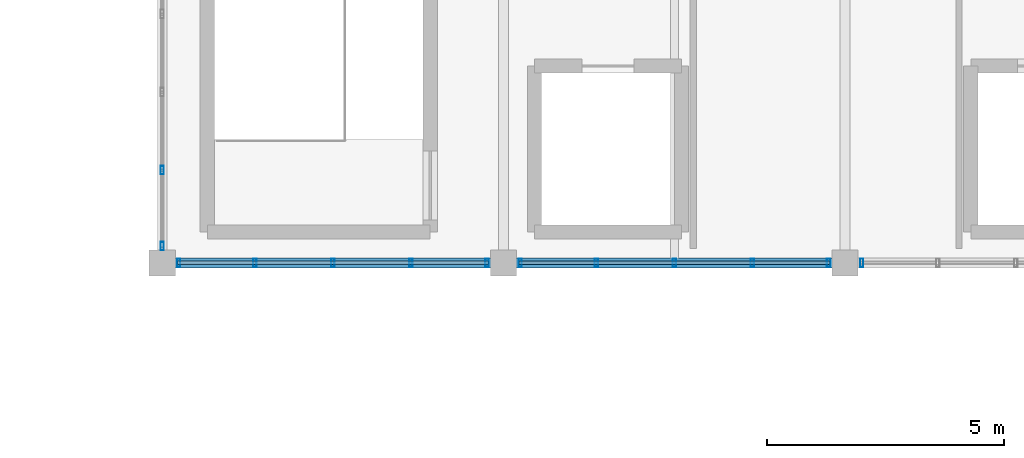
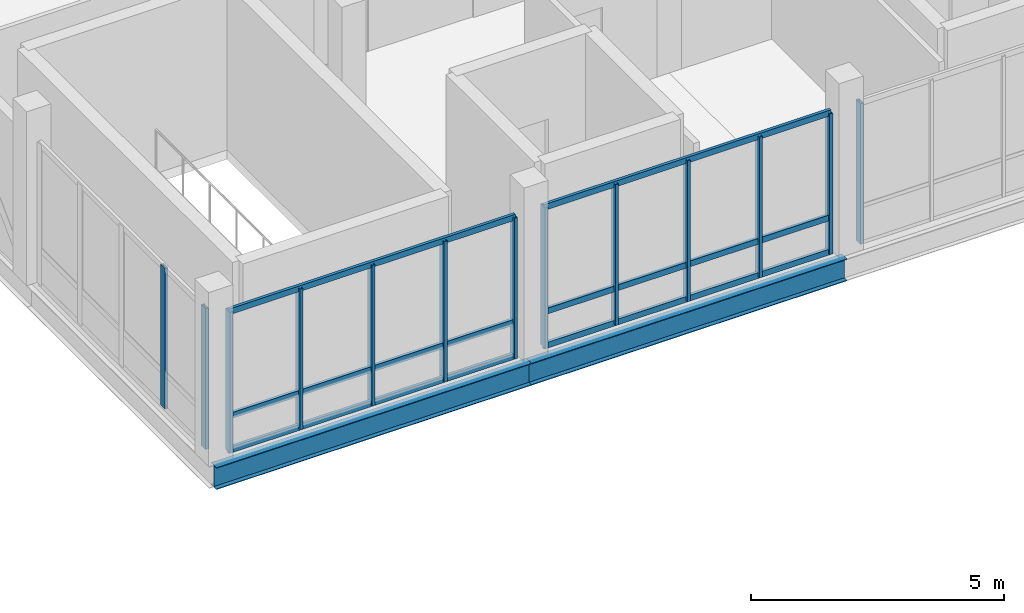
# One storey, part 5 of 28: 19 members, 2 beams, 4 elements without a shape of their own.
"""IFC4 building model written with IfcOpenShell, lengths in metres."""

from ifc_helpers import new_model, si_unit, direction, frame, origin, origin_2d, place, context, subcontext, project, spatial, hollow_rectangle, i_section, extrude, material, material_profile, profile_set, type_object, element, aggregate, save


model = new_model("IFC4")

# Units and contexts
model_context = context("Model", 3, precision=1e-05, world=origin(), true_north=direction((0.0, 1.0)))
body_context = subcontext(model_context, "Body", "Model", "MODEL_VIEW")
ifc_project = project(units=[si_unit("LENGTHUNIT", "METRE"), si_unit("AREAUNIT", "SQUARE_METRE"), si_unit("VOLUMEUNIT", "CUBIC_METRE"), si_unit("PLANEANGLEUNIT", "RADIAN"), si_unit("MASSUNIT", "GRAM", prefix="KILO")], contexts=[model_context])

# Site, building, storey
site_placement = place(None, origin())
site = spatial("IfcSite", under=ifc_project, at=site_placement, CompositionType="ELEMENT")
building_placement = place(site_placement, origin())
building = spatial("IfcBuilding", under=site, at=building_placement, Name="Yarey Park Central Fire Station", CompositionType="ELEMENT")
storey_placement = place(building_placement, frame((0.0, 0.0, 22.199951171875)))
storey = spatial("IfcBuildingStorey", under=building, at=storey_placement, Name="L06", CompositionType="ELEMENT", Elevation=22.199951171875)

# Curtain wall, members
ifc_material_1 = material(Name="Anodized Aluminium Frame", Category="aluminium")
curtain_wall_type = type_object("IfcCurtainWallType", Name="ENV_CW_HQ_L06", PredefinedType="NOTDEFINED", material=ifc_material_1)
curtain_wall_1_placement = place(storey_placement, origin())
curtain_wall_1 = element("IfcCurtainWall", 1, at=curtain_wall_1_placement, inside=storey, type_object=curtain_wall_type, Name="CW_L06_V4_S_1", PredefinedType="NOTDEFINED")
ifc_material_profile_1 = material_profile(ifc_material_1, hollow_rectangle(XDim=0.070068359375, YDim=0.179931640625, WallThickness=0.00390625, at=origin_2d()), Name="ALU 180x70x4")
ifc_profile_set_1 = profile_set([ifc_material_profile_1], Name="Anodized Aluminium Frame")
member_type_1 = type_object("IfcMemberType", Name="ENV_CW_MULLION", PredefinedType="MULLION", material=ifc_profile_set_1)
member_1_placement = place(storey_placement, frame((115.550048828125, 93.60009765625, 0.0), z_axis=(0.0, 0.0, 1.0), x_axis=(1.0, 0.0, 0.0)))
member_1 = element("IfcMember", 2, at=member_1_placement, type_object=member_type_1, Name="CW_L06_V4_S_1_MUL1", PredefinedType="MULLION", context=body_context, shape_type="SweptSolid", body=[
    extrude(hollow_rectangle(XDim=0.070068359375, YDim=0.179931640625, WallThickness=0.00390625, at=origin_2d()), origin(), (0.0, 0.0, 1.0), 3.400146484375),
])
member_2_placement = place(storey_placement, frame((117.155029296875, 93.60009765625, 0.0), z_axis=(0.0, 0.0, 1.0), x_axis=(1.0, 0.0, 0.0)))
member_2 = element("IfcMember", 3, at=member_2_placement, type_object=member_type_1, Name="CW_L06_V4_S_1_MUL2", PredefinedType="MULLION", context=body_context, shape_type="SweptSolid", body=[
    extrude(hollow_rectangle(XDim=0.070068359375, YDim=0.179931640625, WallThickness=0.00390625, at=origin_2d()), origin(), (0.0, 0.0, 1.0), 3.400146484375),
])
member_3_placement = place(storey_placement, frame((118.800048828125, 93.60009765625, 0.0), z_axis=(0.0, 0.0, 1.0), x_axis=(1.0, 0.0, 0.0)))
member_3 = element("IfcMember", 4, at=member_3_placement, type_object=member_type_1, Name="CW_L06_V4_S_1_MUL3", PredefinedType="MULLION", context=body_context, shape_type="SweptSolid", body=[
    extrude(hollow_rectangle(XDim=0.070068359375, YDim=0.179931640625, WallThickness=0.00390625, at=origin_2d()), origin(), (0.0, 0.0, 1.0), 3.400146484375),
])
member_4_placement = place(storey_placement, frame((120.445068359375, 93.60009765625, 0.0), z_axis=(0.0, 0.0, 1.0), x_axis=(1.0, 0.0, 0.0)))
member_4 = element("IfcMember", 5, at=member_4_placement, type_object=member_type_1, Name="CW_L06_V4_S_1_MUL4", PredefinedType="MULLION", context=body_context, shape_type="SweptSolid", body=[
    extrude(hollow_rectangle(XDim=0.070068359375, YDim=0.179931640625, WallThickness=0.00390625, at=origin_2d()), origin(), (0.0, 0.0, 1.0), 3.400146484375),
])
member_5_placement = place(storey_placement, frame((122.050048828125, 93.60009765625, 0.0), z_axis=(0.0, 0.0, 1.0), x_axis=(1.0, 0.0, 0.0)))
member_5 = element("IfcMember", 6, at=member_5_placement, type_object=member_type_1, Name="CW_L06_V4_S_1_MUL5", PredefinedType="MULLION", context=body_context, shape_type="SweptSolid", body=[
    extrude(hollow_rectangle(XDim=0.070068359375, YDim=0.179931640625, WallThickness=0.00390625, at=origin_2d()), origin(), (0.0, 0.0, 1.0), 3.400146484375),
])

curtain_wall_2_placement = place(storey_placement, origin())
curtain_wall_2 = element("IfcCurtainWall", 7, at=curtain_wall_2_placement, inside=storey, type_object=curtain_wall_type, Name="CW_L06_V4_S_2", PredefinedType="NOTDEFINED")
member_6_placement = place(storey_placement, frame((122.75, 93.60009765625, 0.0), z_axis=(0.0, 0.0, 1.0), x_axis=(1.0, 0.0, 0.0)))
member_6 = element("IfcMember", 8, at=member_6_placement, type_object=member_type_1, Name="CW_L06_V4_S_2_MUL1", PredefinedType="MULLION", context=body_context, shape_type="SweptSolid", body=[
    extrude(hollow_rectangle(XDim=0.070068359375, YDim=0.179931640625, WallThickness=0.00390625, at=origin_2d()), origin(), (0.0, 0.0, 1.0), 3.400146484375),
])
member_7_placement = place(storey_placement, frame((124.35498046875, 93.60009765625, 0.0), z_axis=(0.0, 0.0, 1.0), x_axis=(1.0, 0.0, 0.0)))
member_7 = element("IfcMember", 9, at=member_7_placement, type_object=member_type_1, Name="CW_L06_V4_S_2_MUL2", PredefinedType="MULLION", context=body_context, shape_type="SweptSolid", body=[
    extrude(hollow_rectangle(XDim=0.070068359375, YDim=0.179931640625, WallThickness=0.00390625, at=origin_2d()), origin(), (0.0, 0.0, 1.0), 3.400146484375),
])
member_8_placement = place(storey_placement, frame((126.0, 93.60009765625, 0.0), z_axis=(0.0, 0.0, 1.0), x_axis=(1.0, 0.0, 0.0)))
member_8 = element("IfcMember", 10, at=member_8_placement, type_object=member_type_1, Name="CW_L06_V4_S_2_MUL3", PredefinedType="MULLION", context=body_context, shape_type="SweptSolid", body=[
    extrude(hollow_rectangle(XDim=0.070068359375, YDim=0.179931640625, WallThickness=0.00390625, at=origin_2d()), origin(), (0.0, 0.0, 1.0), 3.400146484375),
])
member_9_placement = place(storey_placement, frame((127.64501953125, 93.60009765625, 0.0), z_axis=(0.0, 0.0, 1.0), x_axis=(1.0, 0.0, 0.0)))
member_9 = element("IfcMember", 11, at=member_9_placement, type_object=member_type_1, Name="CW_L06_V4_S_2_MUL4", PredefinedType="MULLION", context=body_context, shape_type="SweptSolid", body=[
    extrude(hollow_rectangle(XDim=0.070068359375, YDim=0.179931640625, WallThickness=0.00390625, at=origin_2d()), origin(), (0.0, 0.0, 1.0), 3.400146484375),
])
member_10_placement = place(storey_placement, frame((129.25, 93.60009765625, 0.0), z_axis=(0.0, 0.0, 1.0), x_axis=(1.0, 0.0, 0.0)))
member_10 = element("IfcMember", 12, at=member_10_placement, type_object=member_type_1, Name="CW_L06_V4_S_2_MUL5", PredefinedType="MULLION", context=body_context, shape_type="SweptSolid", body=[
    extrude(hollow_rectangle(XDim=0.070068359375, YDim=0.179931640625, WallThickness=0.00390625, at=origin_2d()), origin(), (0.0, 0.0, 1.0), 3.400146484375),
])

# Curtain wall, member
curtain_wall_3_placement = place(storey_placement, origin())
curtain_wall_3 = element("IfcCurtainWall", 13, at=curtain_wall_3_placement, inside=storey, type_object=curtain_wall_type, Name="CW_L06_V4_S_3", PredefinedType="NOTDEFINED")
member_11_placement = place(storey_placement, frame((129.949951171875, 93.60009765625, 0.0), z_axis=(0.0, 0.0, 1.0), x_axis=(1.0, 0.0, 0.0)))
member_11 = element("IfcMember", 14, at=member_11_placement, type_object=member_type_1, Name="CW_L06_V4_S_3_MUL1", PredefinedType="MULLION", context=body_context, shape_type="SweptSolid", body=[
    extrude(hollow_rectangle(XDim=0.070068359375, YDim=0.179931640625, WallThickness=0.00390625, at=origin_2d()), origin(), (0.0, 0.0, 1.0), 3.400146484375),
])
aggregate(curtain_wall_3, [member_11])

# Curtain wall, members
curtain_wall_4_placement = place(storey_placement, origin())
curtain_wall_4 = element("IfcCurtainWall", 15, at=curtain_wall_4_placement, inside=storey, type_object=curtain_wall_type, Name="CW_L06_V4_W_93", PredefinedType="NOTDEFINED")
member_12_placement = place(storey_placement, frame((115.199951171875, 95.554931640625, 0.0), z_axis=(0.0, 0.0, 1.0), x_axis=(1.0, 0.0, 0.0)))
member_12 = element("IfcMember", 16, at=member_12_placement, type_object=member_type_1, Name="CW_L06_V4_W_93_MUL4", PredefinedType="MULLION", context=body_context, shape_type="SweptSolid", body=[
    extrude(hollow_rectangle(XDim=0.070068359375, YDim=0.179931640625, WallThickness=0.00390625, at=origin_2d()), origin(), (0.0, 0.0, 1.0), 3.400146484375),
])
member_13_placement = place(storey_placement, frame((115.199951171875, 93.949951171875, 0.0), z_axis=(0.0, 0.0, 1.0), x_axis=(1.0, 0.0, 0.0)))
member_13 = element("IfcMember", 17, at=member_13_placement, type_object=member_type_1, Name="CW_L06_V4_W_93_MUL5", PredefinedType="MULLION", context=body_context, shape_type="SweptSolid", body=[
    extrude(hollow_rectangle(XDim=0.070068359375, YDim=0.179931640625, WallThickness=0.00390625, at=origin_2d()), origin(), (0.0, 0.0, 1.0), 3.400146484375),
])
aggregate(curtain_wall_4, [member_12, member_13])

# Member
ifc_material_profile_2 = material_profile(ifc_material_1, hollow_rectangle(XDim=0.070068359375, YDim=0.139892578125, WallThickness=0.00390625, at=origin_2d()), Name="ALU 140x70x4")
ifc_profile_set_2 = profile_set([ifc_material_profile_2], Name="Anodized Aluminium Frame")
member_type_2 = type_object("IfcMemberType", Name="ENV_CW_TRANSOM", PredefinedType="USERDEFINED", material=ifc_profile_set_2)
member_14_placement = place(storey_placement, frame((115.52490234375, 93.60009765625, 0.025146484375), z_axis=(1.0, 0.0, 0.0), x_axis=(0.0, 1.0, 0.0)))
member_14 = element("IfcMember", 18, at=member_14_placement, type_object=member_type_2, Name="CW_L06_V4_S_1_TRN1", ObjectType="TRANSOM", PredefinedType="USERDEFINED", context=body_context, shape_type="SweptSolid", body=[
    extrude(hollow_rectangle(XDim=0.070068359375, YDim=0.139892578125, WallThickness=0.00390625, at=origin_2d()), origin(), (0.0, 0.0, 1.0), 6.550048828125),
])

member_15_placement = place(storey_placement, frame((115.52490234375, 93.60009765625, 0.85009765625), z_axis=(1.0, 0.0, 0.0), x_axis=(0.0, 1.0, 0.0)))
member_15 = element("IfcMember", 19, at=member_15_placement, type_object=member_type_2, Name="CW_L06_V4_S_1_TRN2", ObjectType="TRANSOM", PredefinedType="USERDEFINED", context=body_context, shape_type="SweptSolid", body=[
    extrude(hollow_rectangle(XDim=0.070068359375, YDim=0.139892578125, WallThickness=0.00390625, at=origin_2d()), origin(), (0.0, 0.0, 1.0), 6.550048828125),
])

member_16_placement = place(storey_placement, frame((115.52490234375, 93.60009765625, 3.375), z_axis=(1.0, 0.0, 0.0), x_axis=(0.0, 1.0, 0.0)))
member_16 = element("IfcMember", 20, at=member_16_placement, type_object=member_type_2, Name="CW_L06_V4_S_1_TRN3", ObjectType="TRANSOM", PredefinedType="USERDEFINED", context=body_context, shape_type="SweptSolid", body=[
    extrude(hollow_rectangle(XDim=0.070068359375, YDim=0.139892578125, WallThickness=0.00390625, at=origin_2d()), origin(), (0.0, 0.0, 1.0), 6.550048828125),
])

aggregate(curtain_wall_1, [member_1, member_2, member_3, member_4, member_5, member_14, member_15, member_16])

member_17_placement = place(storey_placement, frame((122.72509765625, 93.60009765625, 0.025146484375), z_axis=(1.0, 0.0, 0.0), x_axis=(0.0, 1.0, 0.0)))
member_17 = element("IfcMember", 21, at=member_17_placement, type_object=member_type_2, Name="CW_L06_V4_S_2_TRN1", ObjectType="TRANSOM", PredefinedType="USERDEFINED", context=body_context, shape_type="SweptSolid", body=[
    extrude(hollow_rectangle(XDim=0.070068359375, YDim=0.139892578125, WallThickness=0.00390625, at=origin_2d()), origin(), (0.0, 0.0, 1.0), 6.5498046875),
])

member_18_placement = place(storey_placement, frame((122.72509765625, 93.60009765625, 0.85009765625), z_axis=(1.0, 0.0, 0.0), x_axis=(0.0, 1.0, 0.0)))
member_18 = element("IfcMember", 22, at=member_18_placement, type_object=member_type_2, Name="CW_L06_V4_S_2_TRN2", ObjectType="TRANSOM", PredefinedType="USERDEFINED", context=body_context, shape_type="SweptSolid", body=[
    extrude(hollow_rectangle(XDim=0.070068359375, YDim=0.139892578125, WallThickness=0.00390625, at=origin_2d()), origin(), (0.0, 0.0, 1.0), 6.5498046875),
])

member_19_placement = place(storey_placement, frame((122.72509765625, 93.60009765625, 3.375), z_axis=(1.0, 0.0, 0.0), x_axis=(0.0, 1.0, 0.0)))
member_19 = element("IfcMember", 23, at=member_19_placement, type_object=member_type_2, Name="CW_L06_V4_S_2_TRN3", ObjectType="TRANSOM", PredefinedType="USERDEFINED", context=body_context, shape_type="SweptSolid", body=[
    extrude(hollow_rectangle(XDim=0.070068359375, YDim=0.139892578125, WallThickness=0.00390625, at=origin_2d()), origin(), (0.0, 0.0, 1.0), 6.5498046875),
])

aggregate(curtain_wall_2, [member_6, member_7, member_8, member_9, member_10, member_17, member_18, member_19])

# Beams
ifc_material_2 = material(Name="Steel ASTM A992 Gr. 50", Category="steel")
ifc_material_profile_3 = material_profile(ifc_material_2, i_section(OverallWidth=0.208984375, OverallDepth=0.532958984375, WebThickness=0.01025390625, FlangeThickness=0.015625, at=origin_2d()), Name="W530x92")
ifc_profile_set_3 = profile_set([ifc_material_profile_3], Name="Steel ASTM A992 Gr. 50")
beam_type = type_object("IfcBeamType", Name="STR_BM_W530", PredefinedType="BEAM", material=ifc_profile_set_3)
beam_1_placement = place(storey_placement, frame((115.199951171875, 93.60009765625, -0.491455078125), z_axis=(1.0, 0.0, 0.0), x_axis=(0.0, 1.0, 0.0)))
element("IfcBeam", 24, at=beam_1_placement, inside=storey, type_object=beam_type, Name="BMX L06 Y936 X1152", PredefinedType="BEAM", context=body_context, shape_type="SweptSolid", body=[
    extrude(i_section(OverallWidth=0.208984375, OverallDepth=0.532958984375, WebThickness=0.01025390625, FlangeThickness=0.015625, at=origin_2d()), origin(), (0.0, 0.0, 1.0), 7.199951171875),
])
beam_2_placement = place(storey_placement, frame((122.39990234375, 93.60009765625, -0.491455078125), z_axis=(1.0, 0.0, 0.0), x_axis=(0.0, 1.0, 0.0)))
element("IfcBeam", 25, at=beam_2_placement, inside=storey, type_object=beam_type, Name="BMX L06 Y936 X1224", PredefinedType="BEAM", context=body_context, shape_type="SweptSolid", body=[
    extrude(i_section(OverallWidth=0.208984375, OverallDepth=0.532958984375, WebThickness=0.01025390625, FlangeThickness=0.015625, at=origin_2d()), origin(), (0.0, 0.0, 1.0), 7.2001953125),
])

save(model, "model.ifc")
